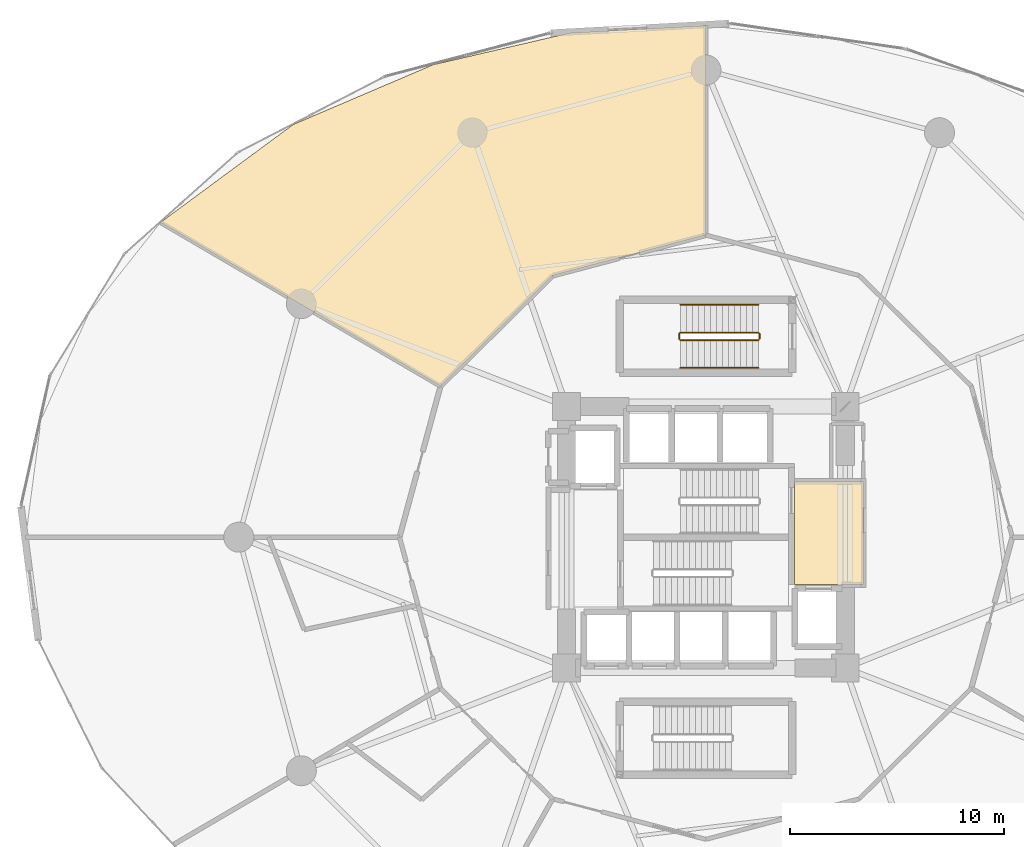
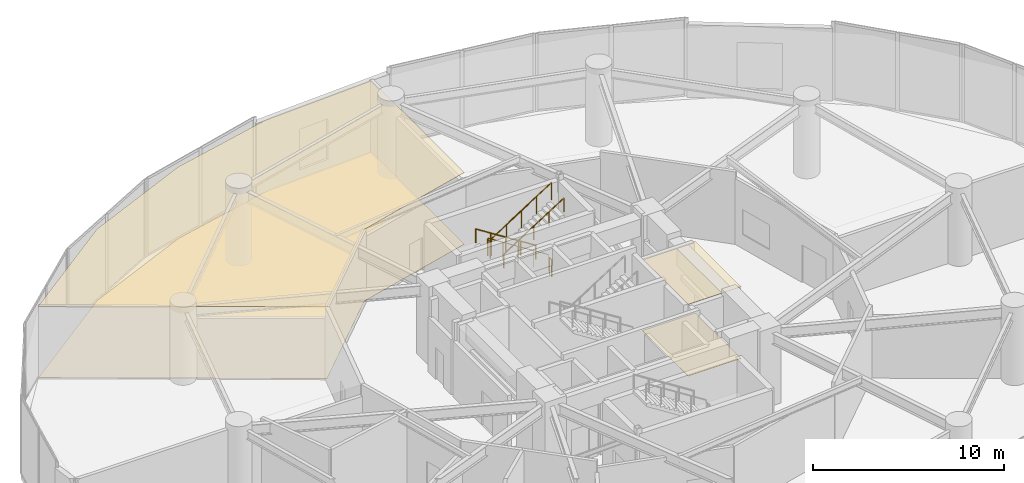
# One storey, part 30 of 31: 6 railings, 4 coverings.
"""IFC4 building model written with IfcOpenShell, lengths in metres."""

from ifc_helpers import new_model, si_unit, direction, frame, origin, origin_2d, place, context, subcontext, project, spatial, polyline, circle, outline, extrude, material, layer, layer_set, type_object, element, save


model = new_model("IFC4")

# Units and contexts
model_context = context("Model", 3, precision=1e-05, world=origin(), true_north=direction((0.0, 1.0)))
body_context = subcontext(model_context, "Body", "Model", "MODEL_VIEW")
ifc_project = project(units=[si_unit("LENGTHUNIT", "METRE"), si_unit("AREAUNIT", "SQUARE_METRE"), si_unit("VOLUMEUNIT", "CUBIC_METRE"), si_unit("PLANEANGLEUNIT", "RADIAN"), si_unit("MASSUNIT", "GRAM", prefix="KILO")], contexts=[model_context])

# Site, building, storey
site_placement = place(None, origin())
site = spatial("IfcSite", under=ifc_project, at=site_placement, CompositionType="ELEMENT")
building_placement = place(site_placement, origin())
building = spatial("IfcBuilding", under=site, at=building_placement, Name="Solvirekh Grand Hotel", CompositionType="ELEMENT")
storey_placement = place(building_placement, frame((0.0, 0.0, 18.60009765625)))
storey = spatial("IfcBuildingStorey", under=building, at=storey_placement, Name="L03", CompositionType="ELEMENT", Elevation=18.60009765625)

# Coverings
ifc_material_1 = material(Name="Acoustic Mineral Ceiling Tile")
ifc_layer_1 = layer(ifc_material_1, 0.02490234375)
ifc_layer_set_1 = layer_set([ifc_layer_1], Name="Acoustic Mineral Ceiling Tile")
covering_type_1 = type_object("IfcCoveringType", Name="Cov_Ceiling_Acoustic", PredefinedType="CEILING", material=ifc_layer_set_1)
covering_1_placement = place(storey_placement, frame((0.0, 0.0, 4.58984375)))
element("IfcCovering", 1, at=covering_1_placement, inside=storey, type_object=covering_type_1, Name="L03 Firefighting Lobby East acoustic ceiling", PredefinedType="CEILING", context=body_context, shape_type="SweptSolid", body=[
    extrude(outline(polyline([(4.1298828125, -2.2099609375), (7.35009765625, -2.2099609375), (7.35009765625, 2.60009765625), (4.1298828125, 2.60009765625), (4.1298828125, -2.2099609375)])), origin(), (0.0, 0.0, 1.0), 0.01806640625),
])
covering_2_placement = place(storey_placement, frame((0.0, 0.0, 4.58984375)))
element("IfcCovering", 2, at=covering_2_placement, inside=storey, type_object=covering_type_1, Name="L03 Diplomatic Summit Boardroom acoustic ceiling", PredefinedType="CEILING", context=body_context, shape_type="SweptSolid", body=[
    extrude(outline(polyline([(0.0, 23.8779296875), (-6.306884765625, 23.5400390625), (-12.72998046875, 22.049072265625), (-19.260009765625, 19.260009765625), (-25.449951171875, 14.693115234375), (-12.384033203125, 7.050048828125), (-7.14990234375, 12.2109375), (0.0, 14.10009765625), (0.0, 23.8779296875)])), origin(), (0.0, 0.0, 1.0), 0.01806640625),
])
ifc_material_2 = material(Name="Porcelain Stoneware Flooring", Category="masonry")
ifc_layer_2 = layer(ifc_material_2, 0.030029296875)
ifc_layer_set_2 = layer_set([ifc_layer_2], Name="Porcelain Stoneware Flooring")
covering_type_2 = type_object("IfcCoveringType", Name="Cov_Floor_Stone", PredefinedType="FLOORING", material=ifc_layer_set_2)
covering_3_placement = place(storey_placement, origin())
element("IfcCovering", 3, at=covering_3_placement, inside=storey, type_object=covering_type_2, Name="L03 Firefighting Lobby East polished granite flooring", PredefinedType="FLOORING", context=body_context, shape_type="SweptSolid", body=[
    extrude(outline(polyline([(4.1298828125, -2.2099609375), (7.35009765625, -2.2099609375), (7.35009765625, 2.60009765625), (4.1298828125, 2.60009765625), (4.1298828125, -2.2099609375)])), origin(), (0.0, 0.0, 1.0), 0.02001953125),
])
covering_4_placement = place(storey_placement, origin())
element("IfcCovering", 4, at=covering_4_placement, inside=storey, type_object=covering_type_2, Name="L03 Diplomatic Summit Boardroom polished granite flooring", PredefinedType="FLOORING", context=body_context, shape_type="SweptSolid", body=[
    extrude(outline(polyline([(0.0, 23.8779296875), (-6.306884765625, 23.5400390625), (-12.72998046875, 22.049072265625), (-19.260009765625, 19.260009765625), (-25.449951171875, 14.693115234375), (-12.384033203125, 7.050048828125), (-7.14990234375, 12.2109375), (0.0, 14.10009765625), (0.0, 23.8779296875)])), origin(), (0.0, 0.0, 1.0), 0.02001953125),
])

# Railings
ifc_material_3 = material(Name="Steel S355", Category="steel")
railing_type_1 = type_object("IfcRailingType", Name="Guard_Stair_1100", PredefinedType="GUARDRAIL", material=ifc_material_3)
railing_1_placement = place(storey_placement, frame((2.449951171875, 9.550048828125, 0.178466796875)))
element("IfcRailing", 5, at=railing_1_placement, inside=storey, type_object=railing_type_1, Name="L03 ST-4 stair guard 1", PredefinedType="GUARDRAIL", context=body_context, shape_type="SweptSolid", body=[
    extrude(circle(Radius=0.02392578125, at=origin_2d()), frame((0.0, 0.0, 1.076171875), z_axis=(-0.843111507901, 0.0, 0.53773877045), x_axis=(0.0, -1.0, 0.0)), (0.0, 0.0, 1.0), 4.317138671875),
    extrude(circle(Radius=0.02099609375, at=origin_2d()), origin(), (0.0, 0.0, 1.0), 1.052001953125),
    extrude(circle(Radius=0.02099609375, at=origin_2d()), frame((-0.909912109375, 0.0, 0.580322265625)), (0.0, 0.0, 1.0), 1.052001953125),
    extrude(circle(Radius=0.02099609375, at=origin_2d()), frame((-1.81982421875, 0.0, 1.16064453125)), (0.0, 0.0, 1.0), 1.052001953125),
    extrude(circle(Radius=0.02099609375, at=origin_2d()), frame((-2.72998046875, 0.0, 1.7412109375)), (0.0, 0.0, 1.0), 1.052001953125),
    extrude(circle(Radius=0.02099609375, at=origin_2d()), frame((-3.639892578125, 0.0, 2.321533203125)), (0.0, 0.0, 1.0), 1.052001953125),
])
railing_2_placement = place(storey_placement, frame((-1.239990234375, 9.5, 2.5)))
element("IfcRailing", 6, at=railing_2_placement, inside=storey, type_object=railing_type_1, Name="L03 ST-4 stair guard 2", PredefinedType="GUARDRAIL", context=body_context, shape_type="SweptSolid", body=[
    extrude(circle(Radius=0.02392578125, at=origin_2d()), frame((0.0, 0.0, 1.076171875), z_axis=(0.0, -1.0, 0.0), x_axis=(1.0, 0.0, 0.0)), (0.0, 0.0, 1.0), 0.25),
    extrude(circle(Radius=0.02099609375, at=origin_2d()), origin(), (0.0, 0.0, 1.0), 1.052001953125),
    extrude(circle(Radius=0.02099609375, at=origin_2d()), frame((0.0, -0.25, 0.0)), (0.0, 0.0, 1.0), 1.052001953125),
])
railing_3_placement = place(storey_placement, frame((-1.18994140625, 9.199951171875, 2.678466796875)))
element("IfcRailing", 7, at=railing_3_placement, inside=storey, type_object=railing_type_1, Name="L03 ST-4 stair guard 3", PredefinedType="GUARDRAIL", context=body_context, shape_type="SweptSolid", body=[
    extrude(circle(Radius=0.02392578125, at=origin_2d()), frame((0.0, 0.0, 1.076171875), z_axis=(0.843111507901, 0.0, 0.53773877045), x_axis=(0.0, 1.0, 0.0)), (0.0, 0.0, 1.0), 4.317138671875),
    extrude(circle(Radius=0.02099609375, at=origin_2d()), origin(), (0.0, 0.0, 1.0), 1.052001953125),
    extrude(circle(Radius=0.02099609375, at=origin_2d()), frame((0.909912109375, 0.0, 0.580322265625)), (0.0, 0.0, 1.0), 1.052001953125),
    extrude(circle(Radius=0.02099609375, at=origin_2d()), frame((1.81982421875, 0.0, 1.16064453125)), (0.0, 0.0, 1.0), 1.052001953125),
    extrude(circle(Radius=0.02099609375, at=origin_2d()), frame((2.72998046875, 0.0, 1.7412109375)), (0.0, 0.0, 1.0), 1.052001953125),
    extrude(circle(Radius=0.02099609375, at=origin_2d()), frame((3.639892578125, 0.0, 2.321533203125)), (0.0, 0.0, 1.0), 1.052001953125),
])
railing_4_placement = place(storey_placement, frame((2.5, 9.5, 0.0)))
element("IfcRailing", 8, at=railing_4_placement, inside=storey, type_object=railing_type_1, Name="L03 ST-4 stair guard 4", PredefinedType="GUARDRAIL", context=body_context, shape_type="SweptSolid", body=[
    extrude(circle(Radius=0.02392578125, at=origin_2d()), frame((0.0, 0.0, 1.076171875), z_axis=(0.0, -1.0, 0.0), x_axis=(1.0, 0.0, 0.0)), (0.0, 0.0, 1.0), 0.25),
    extrude(circle(Radius=0.02099609375, at=origin_2d()), origin(), (0.0, 0.0, 1.0), 1.052001953125),
    extrude(circle(Radius=0.02099609375, at=origin_2d()), frame((0.0, -0.25, 0.0)), (0.0, 0.0, 1.0), 1.052001953125),
])
ifc_material_4 = material(Name="Anodized Bronze Aluminium 6063-T6", Category="aluminium")
railing_type_2 = type_object("IfcRailingType", Name="Handrail_Wall_900", PredefinedType="HANDRAIL", material=ifc_material_4)
railing_5_placement = place(storey_placement, frame((2.449951171875, 10.85009765625, 0.178466796875)))
element("IfcRailing", 9, at=railing_5_placement, inside=storey, type_object=railing_type_2, Name="L03 ST-4 stair handrail 1", PredefinedType="HANDRAIL", context=body_context, shape_type="SweptSolid", body=[
    extrude(circle(Radius=0.02392578125, at=origin_2d()), frame((0.0, 0.0, 0.8759765625), z_axis=(-0.843111507901, 0.0, 0.53773877045), x_axis=(0.0, -1.0, 0.0)), (0.0, 0.0, 1.0), 4.317138671875),
    extrude(circle(Radius=0.02099609375, at=origin_2d()), origin(), (0.0, 0.0, 1.0), 0.851806640625),
    extrude(circle(Radius=0.02099609375, at=origin_2d()), frame((-0.909912109375, 0.0, 0.580322265625)), (0.0, 0.0, 1.0), 0.851806640625),
    extrude(circle(Radius=0.02099609375, at=origin_2d()), frame((-1.81982421875, 0.0, 1.16064453125)), (0.0, 0.0, 1.0), 0.851806640625),
    extrude(circle(Radius=0.02099609375, at=origin_2d()), frame((-2.72998046875, 0.0, 1.7412109375)), (0.0, 0.0, 1.0), 0.851806640625),
    extrude(circle(Radius=0.02099609375, at=origin_2d()), frame((-3.639892578125, 0.0, 2.321533203125)), (0.0, 0.0, 1.0), 0.851806640625),
])
railing_6_placement = place(storey_placement, frame((-1.18994140625, 7.89990234375, 2.678466796875)))
element("IfcRailing", 10, at=railing_6_placement, inside=storey, type_object=railing_type_2, Name="L03 ST-4 stair handrail 2", PredefinedType="HANDRAIL", context=body_context, shape_type="SweptSolid", body=[
    extrude(circle(Radius=0.02392578125, at=origin_2d()), frame((0.0, 0.0, 0.8759765625), z_axis=(0.843111507901, 0.0, 0.53773877045), x_axis=(0.0, 1.0, 0.0)), (0.0, 0.0, 1.0), 4.317138671875),
    extrude(circle(Radius=0.02099609375, at=origin_2d()), origin(), (0.0, 0.0, 1.0), 0.851806640625),
    extrude(circle(Radius=0.02099609375, at=origin_2d()), frame((0.909912109375, 0.0, 0.580322265625)), (0.0, 0.0, 1.0), 0.851806640625),
    extrude(circle(Radius=0.02099609375, at=origin_2d()), frame((1.81982421875, 0.0, 1.16064453125)), (0.0, 0.0, 1.0), 0.851806640625),
    extrude(circle(Radius=0.02099609375, at=origin_2d()), frame((2.72998046875, 0.0, 1.7412109375)), (0.0, 0.0, 1.0), 0.851806640625),
    extrude(circle(Radius=0.02099609375, at=origin_2d()), frame((3.639892578125, 0.0, 2.321533203125)), (0.0, 0.0, 1.0), 0.851806640625),
])

save(model, "model.ifc")
